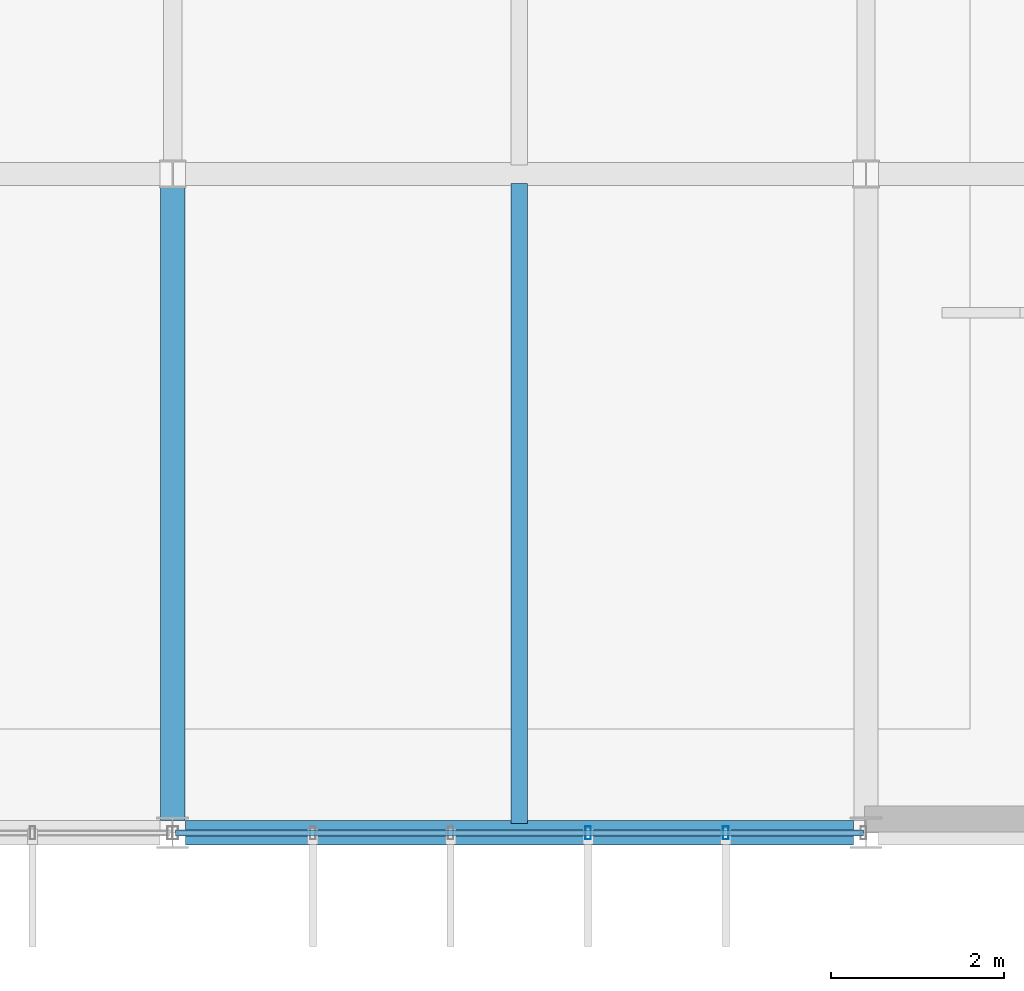
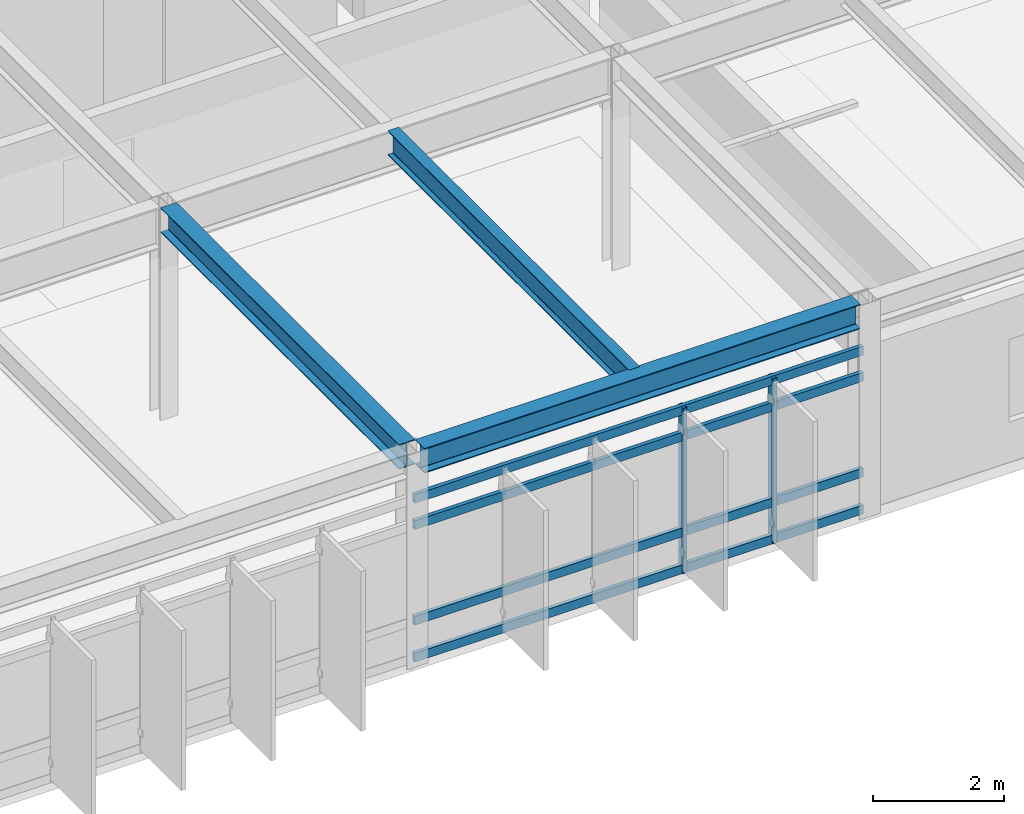
# One storey, part 12 of 33: 6 members, 3 beams, 1 element without a shape of its own.
"""IFC4 building model written with IfcOpenShell, lengths in metres."""

from ifc_helpers import new_model, si_unit, direction, frame, origin, origin_2d, place, context, subcontext, project, spatial, hollow_rectangle, i_section, extrude, material, material_profile, profile_set, type_object, element, aggregate, save


model = new_model("IFC4")

# Units and contexts
model_context = context("Model", 3, precision=1e-05, world=origin(), true_north=direction((0.0, 1.0)))
body_context = subcontext(model_context, "Body", "Model", "MODEL_VIEW")
ifc_project = project(units=[si_unit("LENGTHUNIT", "METRE"), si_unit("AREAUNIT", "SQUARE_METRE"), si_unit("VOLUMEUNIT", "CUBIC_METRE"), si_unit("PLANEANGLEUNIT", "RADIAN"), si_unit("MASSUNIT", "GRAM", prefix="KILO")], contexts=[model_context])

# Site, building, storey
site_placement = place(None, origin())
site = spatial("IfcSite", under=ifc_project, at=site_placement, CompositionType="ELEMENT")
building_placement = place(site_placement, origin())
building = spatial("IfcBuilding", under=site, at=building_placement, Name="Zulena Civic Courthouse", CompositionType="ELEMENT")
storey_placement = place(building_placement, frame((0.0, 0.0, 33.60009765625)))
storey = spatial("IfcBuildingStorey", under=building, at=storey_placement, Name="L07", CompositionType="ELEMENT", Elevation=33.60009765625)

# Curtain wall, members
ifc_material_1 = material(Name="Double-silver low-E laminated solar-control glass", Category="glass")
curtain_wall_type = type_object("IfcCurtainWallType", Name="CW_7940x3090", PredefinedType="USERDEFINED", material=ifc_material_1)
curtain_wall_placement = place(storey_placement, origin())
curtain_wall = element("IfcCurtainWall", 1, at=curtain_wall_placement, inside=storey, type_object=curtain_wall_type, Name="cw:V2:L07:3:3", ObjectType="UNITISED CURTAIN WALL", PredefinedType="USERDEFINED")
ifc_material_2 = material(Name="Bronze anodised thermally broken aluminium AA6063-T6", Category="aluminium")
ifc_material_profile_1 = material_profile(ifc_material_2, hollow_rectangle(XDim=0.06494140625, YDim=0.14990234375, WallThickness=0.00390625, at=origin_2d()), Name="CWM150X65X4")
ifc_profile_set_1 = profile_set([ifc_material_profile_1], Name="Bronze anodised thermally broken aluminium AA6063-T6")
member_type_1 = type_object("IfcMemberType", Name="CWMullion_150x65", PredefinedType="MULLION", material=ifc_profile_set_1)
member_1_placement = place(storey_placement, frame((42.382080078125, 0.0, 0.0), z_axis=(0.0, 0.0, 1.0), x_axis=(1.0, 0.0, 0.0)))
member_1 = element("IfcMember", 2, at=member_1_placement, type_object=member_type_1, Name="cw:V2:L07:3:3:mull:1", PredefinedType="MULLION", context=body_context, shape_type="SweptSolid", body=[
    extrude(hollow_rectangle(XDim=0.06494140625, YDim=0.14990234375, WallThickness=0.00390625, at=origin_2d()), origin(), (0.0, 0.0, 1.0), 3.08984375),
])
member_2_placement = place(storey_placement, frame((40.7939453125, 0.0, 0.0), z_axis=(0.0, 0.0, 1.0), x_axis=(1.0, 0.0, 0.0)))
member_2 = element("IfcMember", 3, at=member_2_placement, type_object=member_type_1, Name="cw:V2:L07:3:3:mull:2", PredefinedType="MULLION", context=body_context, shape_type="SweptSolid", body=[
    extrude(hollow_rectangle(XDim=0.06494140625, YDim=0.14990234375, WallThickness=0.00390625, at=origin_2d()), origin(), (0.0, 0.0, 1.0), 3.08984375),
])
ifc_material_profile_2 = material_profile(ifc_material_2, hollow_rectangle(XDim=0.070068359375, YDim=0.1650390625, WallThickness=0.00390625, at=origin_2d()), Name="CWT165X70X4")
ifc_profile_set_2 = profile_set([ifc_material_profile_2], Name="Bronze anodised thermally broken aluminium AA6063-T6")
member_type_2 = type_object("IfcMemberType", Name="CWTransom_165x70", PredefinedType="USERDEFINED", material=ifc_profile_set_2)
member_3_placement = place(storey_placement, frame((43.969970703125, 0.0, 0.059814453125), z_axis=(-1.0, 0.0, 0.0), x_axis=(0.0, -1.0, 0.0)))
member_3 = element("IfcMember", 4, at=member_3_placement, type_object=member_type_2, Name="cw:V2:L07:3:3:tran:0", ObjectType="TRANSOM", PredefinedType="USERDEFINED", context=body_context, shape_type="SweptSolid", body=[
    extrude(hollow_rectangle(XDim=0.070068359375, YDim=0.1650390625, WallThickness=0.00390625, at=origin_2d()), origin(), (0.0, 0.0, 1.0), 7.93994140625),
])
member_4_placement = place(storey_placement, frame((43.969970703125, 0.0, 0.75), z_axis=(-1.0, 0.0, 0.0), x_axis=(0.0, -1.0, 0.0)))
member_4 = element("IfcMember", 5, at=member_4_placement, type_object=member_type_2, Name="cw:V2:L07:3:3:tran:1", ObjectType="TRANSOM", PredefinedType="USERDEFINED", context=body_context, shape_type="SweptSolid", body=[
    extrude(hollow_rectangle(XDim=0.070068359375, YDim=0.1650390625, WallThickness=0.00390625, at=origin_2d()), origin(), (0.0, 0.0, 1.0), 7.93994140625),
])
member_5_placement = place(storey_placement, frame((43.969970703125, 0.0, 2.539794921875), z_axis=(-1.0, 0.0, 0.0), x_axis=(0.0, -1.0, 0.0)))
member_5 = element("IfcMember", 6, at=member_5_placement, type_object=member_type_2, Name="cw:V2:L07:3:3:tran:2", ObjectType="TRANSOM", PredefinedType="USERDEFINED", context=body_context, shape_type="SweptSolid", body=[
    extrude(hollow_rectangle(XDim=0.070068359375, YDim=0.1650390625, WallThickness=0.00390625, at=origin_2d()), origin(), (0.0, 0.0, 1.0), 7.93994140625),
])
member_6_placement = place(storey_placement, frame((43.969970703125, 0.0, 3.02978515625), z_axis=(-1.0, 0.0, 0.0), x_axis=(0.0, -1.0, 0.0)))
member_6 = element("IfcMember", 7, at=member_6_placement, type_object=member_type_2, Name="cw:V2:L07:3:3:tran:3", ObjectType="TRANSOM", PredefinedType="USERDEFINED", context=body_context, shape_type="SweptSolid", body=[
    extrude(hollow_rectangle(XDim=0.070068359375, YDim=0.1650390625, WallThickness=0.00390625, at=origin_2d()), origin(), (0.0, 0.0, 1.0), 7.93994140625),
])
aggregate(curtain_wall, [member_1, member_2, member_3, member_4, member_5, member_6])

# Beams
ifc_material_3 = material(Name="Steel ASTM A992 Grade 50", Category="steel")
ifc_material_profile_3 = material_profile(ifc_material_3, i_section(OverallWidth=0.19091796875, OverallDepth=0.4599609375, WebThickness=0.010009765625, FlangeThickness=0.01611328125, FilletRadius=0.01025390625, at=origin_2d()), Name="W18X55")
ifc_profile_set_3 = profile_set([ifc_material_profile_3], Name="Steel ASTM A992 Grade 50")
beam_type_1 = type_object("IfcBeamType", Name="Joist_W18X55", PredefinedType="JOIST", material=ifc_profile_set_3)
beam_1_placement = place(storey_placement, frame((40.0, 0.10498046875, 3.77001953125), z_axis=(0.0, 1.0, 0.0), x_axis=(-1.0, 0.0, 0.0)))
element("IfcBeam", 8, at=beam_1_placement, inside=storey, type_object=beam_type_1, Name="joist:V2:L07:40.00:0.0_7.6", PredefinedType="JOIST", context=body_context, shape_type="SweptSolid", body=[
    extrude(i_section(OverallWidth=0.19091796875, OverallDepth=0.4599609375, WebThickness=0.010009765625, FlangeThickness=0.01611328125, FilletRadius=0.01025390625, at=origin_2d()), origin(), (0.0, 0.0, 1.0), 7.39013671875),
])
ifc_material_profile_4 = material_profile(ifc_material_3, i_section(OverallWidth=0.280029296875, OverallDepth=0.462890625, WebThickness=0.0107421875, FlangeThickness=0.017333984375, FilletRadius=0.01025390625, at=origin_2d()), Name="W18X76")
ifc_profile_set_4 = profile_set([ifc_material_profile_4], Name="Steel ASTM A992 Grade 50")
beam_type_2 = type_object("IfcBeamType", Name="Spandrel_W18X76", PredefinedType="SPANDREL", material=ifc_profile_set_4)
beam_2_placement = place(storey_placement, frame((36.14501953125, 0.0, 3.768310546875), z_axis=(1.0, 0.0, 0.0), x_axis=(0.0, 1.0, 0.0)))
element("IfcBeam", 9, at=beam_2_placement, inside=storey, type_object=beam_type_2, Name="beam:X:V2:L07:0.0:36.0_44.0", PredefinedType="SPANDREL", context=body_context, shape_type="SweptSolid", body=[
    extrude(i_section(OverallWidth=0.280029296875, OverallDepth=0.462890625, WebThickness=0.0107421875, FlangeThickness=0.017333984375, FilletRadius=0.01025390625, at=origin_2d()), origin(), (0.0, 0.0, 1.0), 7.7099609375),
])
beam_3_placement = place(storey_placement, frame((36.0, 0.14501953125, 3.768310546875), z_axis=(0.0, 1.0, 0.0), x_axis=(-1.0, 0.0, 0.0)))
element("IfcBeam", 10, at=beam_3_placement, inside=storey, type_object=beam_type_2, Name="beam:Y:V2:L07:36.0:0.0_7.6", PredefinedType="SPANDREL", context=body_context, shape_type="SweptSolid", body=[
    extrude(i_section(OverallWidth=0.280029296875, OverallDepth=0.462890625, WebThickness=0.0107421875, FlangeThickness=0.017333984375, FilletRadius=0.01025390625, at=origin_2d()), origin(), (0.0, 0.0, 1.0), 7.31005859375),
])

save(model, "model.ifc")
